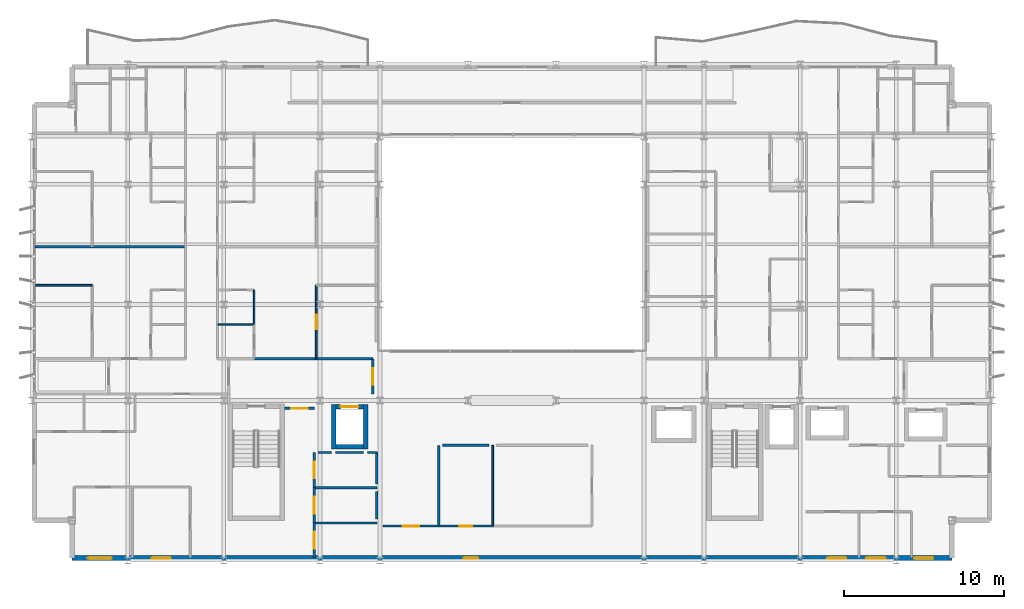
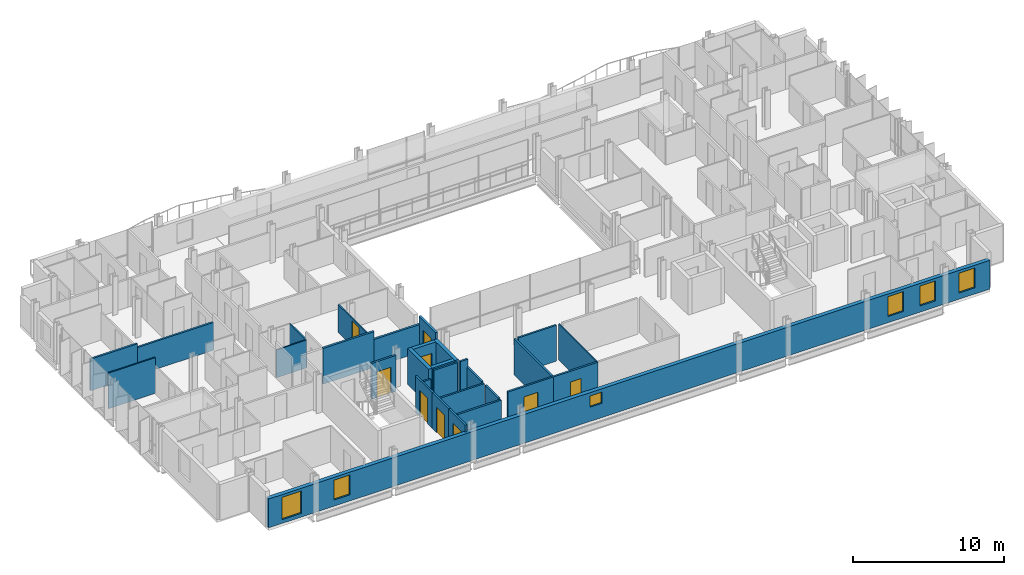
# One storey, part 28 of 39: 30 walls, 9 doors, 6 windows, 15 openings.
"""IFC4 building model written with IfcOpenShell, lengths in metres."""

from ifc_helpers import new_model, si_unit, direction, frame, frame_2d, origin, place, context, subcontext, project, spatial, rectangle, extrude, material, layer, layer_set, type_object, element, fill, save


model = new_model("IFC4")

# Units and contexts
model_context = context("Model", 3, precision=1e-05, world=origin(), true_north=direction((0.0, 1.0)))
body_context = subcontext(model_context, "Body", "Model", "MODEL_VIEW")
ifc_project = project(units=[si_unit("LENGTHUNIT", "METRE"), si_unit("AREAUNIT", "SQUARE_METRE"), si_unit("VOLUMEUNIT", "CUBIC_METRE"), si_unit("PLANEANGLEUNIT", "RADIAN"), si_unit("MASSUNIT", "GRAM", prefix="KILO")], contexts=[model_context])

# Site, building, storey
site_placement = place(None, origin())
site = spatial("IfcSite", under=ifc_project, at=site_placement, CompositionType="ELEMENT")
building_placement = place(site_placement, origin())
building = spatial("IfcBuilding", under=site, at=building_placement, Name="Brevholm Reach", CompositionType="ELEMENT")
storey_placement = place(building_placement, frame((0.0, 0.0, 109.699951171875)))
storey = spatial("IfcBuildingStorey", under=building, at=storey_placement, Name="L32", CompositionType="ELEMENT", Elevation=109.699951171875)

# Walls
ifc_material_1 = material(Name="Concrete C50/60", Category="concrete")
ifc_layer_1 = layer(ifc_material_1, 0.280029296875)
ifc_layer_set_1 = layer_set([ifc_layer_1], Name="Concrete C50/60")
wall_type_1 = type_object("IfcWallType", Name="WAL-COR-280", PredefinedType="SHEAR", material=ifc_layer_set_1)
for number, where, z_axis, x_axis, name in (
    (1, (18.85009765625, 6.9599609375, 0.0), (0.0, 0.0, 1.0), (0.0, 1.0, 0.0), "L32 Lift FFL-1 Shaft Wall W"),
    (2, (20.85009765625, 6.9599609375, 0.0), (0.0, 0.0, 1.0), (0.0, 1.0, 0.0), "L32 Lift FFL-1 Shaft Wall E"),
):
    element("IfcWall", number, at=place(storey_placement, frame(where, z_axis=z_axis, x_axis=x_axis)), inside=storey, type_object=wall_type_1, Name=name, PredefinedType="SHEAR", context=body_context, shape_type="SweptSolid", body=[
        extrude(rectangle(XDim=2.780029296875, YDim=0.280029296875, at=frame_2d((1.39013671875, 0.0))), origin(), (0.0, 0.0, 1.0), 2.880126953125),
    ])
wall_1_placement = place(storey_placement, frame((18.989990234375, 7.10009765625, 0.0), z_axis=(0.0, 0.0, 1.0), x_axis=(1.0, 0.0, 0.0)))
element("IfcWall", 3, at=wall_1_placement, inside=storey, type_object=wall_type_1, Name="L32 Lift FFL-1 Shaft Wall S", PredefinedType="SHEAR", context=body_context, shape_type="SweptSolid", body=[
    extrude(rectangle(XDim=1.719970703125, YDim=0.280029296875, at=frame_2d((0.85986328125, 0.0))), origin(), (0.0, 0.0, 1.0), 2.880126953125),
])

# Wall, opening, door
wall_2_placement = place(storey_placement, frame((18.989990234375, 9.60009765625, 0.0), z_axis=(0.0, 0.0, 1.0), x_axis=(1.0, 0.0, 0.0)))
wall_2 = element("IfcWall", 4, at=wall_2_placement, inside=storey, type_object=wall_type_1, Name="L32 Lift FFL-1 Shaft Wall N", PredefinedType="SHEAR", context=body_context, shape_type="SweptSolid", body=[
    extrude(rectangle(XDim=1.719970703125, YDim=0.280029296875, at=frame_2d((0.85986328125, 0.0))), origin(), (0.0, 0.0, 1.0), 2.880126953125),
])
opening_1_placement = place(wall_2_placement, frame((0.31005859375, 0.0, 0.0)))
opening_1 = element("IfcOpeningElement", 5, at=opening_1_placement, cuts=wall_2, Name="Opening LD-FFL-1", PredefinedType="OPENING", context=body_context, shape_type="SweptSolid", body=[
    extrude(rectangle(XDim=1.10009765625, YDim=2.06005859375, at=frame_2d((0.550048828125, 1.030029296875))), frame((0.0, 0.14990234375, 0.0), z_axis=(0.0, -1.0, 0.0), x_axis=(1.0, 0.0, 0.0)), (0.0, 0.0, 1.0), 0.300048828125),
])
ifc_material_2 = material(Name="Brushed Stainless Steel Fire-Rated Sliding Lift Door", Category="steel")
door_type_1 = type_object("IfcDoorType", Name="DOR-LFT-1100", OperationType="NOTDEFINED", PredefinedType="DOOR", material=ifc_material_2)
door_1_placement = place(opening_1_placement, origin())
door_1 = element("IfcDoor", 6, at=door_1_placement, inside=storey, type_object=door_type_1, Name="L32 Lift FFL-1 Sliding Landing Door", OperationType="SLIDING_TO_RIGHT", OverallHeight=2.06005859375, OverallWidth=1.10009765625, PredefinedType="DOOR", context=body_context, shape_type="SweptSolid", body=[
    extrude(rectangle(XDim=1.10009765625, YDim=2.06005859375, at=frame_2d((0.550048828125, 1.030029296875))), frame((0.0, 0.02490234375, 0.0), z_axis=(0.0, -1.0, 0.0), x_axis=(1.0, 0.0, 0.0)), (0.0, 0.0, 1.0), 0.050048828125),
])
fill(opening_1, door_1)

# Wall, openings, windows
ifc_material_3 = material(Name="Concrete C40/50", Category="concrete")
ifc_layer_2 = layer(ifc_material_3, 0.300048828125)
ifc_layer_set_2 = layer_set([ifc_layer_2], Name="Concrete C40/50")
wall_type_2 = type_object("IfcWallType", Name="WAL-EXT-300", PredefinedType="STANDARD", material=ifc_layer_set_2)
wall_3_placement = place(storey_placement, frame((2.5, 0.14990234375, 0.0), z_axis=(0.0, 0.0, 1.0), x_axis=(1.0, 0.0, 0.0)))
wall_3 = element("IfcWall", 7, at=wall_3_placement, inside=storey, type_object=wall_type_2, Name="L32 Facade Wall WAL-L32-S", PredefinedType="STANDARD", context=body_context, shape_type="SweptSolid", body=[
    extrude(rectangle(XDim=55.0, YDim=0.300048828125, at=frame_2d((27.5, 0.0))), origin(), (0.0, 0.0, 1.0), 2.322021484375),
])
opening_2_placement = place(wall_3_placement, frame((1.0, 0.0, 0.302001953125)))
opening_2 = element("IfcOpeningElement", 8, at=opening_2_placement, cuts=wall_3, Name="Opening WN-05", PredefinedType="OPENING", context=body_context, shape_type="SweptSolid", body=[
    extrude(rectangle(XDim=1.5, YDim=1.800048828125, at=frame_2d((0.75, 0.89990234375))), frame((0.0, 0.159912109375, 0.0), z_axis=(0.0, -1.0, 0.0), x_axis=(1.0, 0.0, 0.0)), (0.0, 0.0, 1.0), 0.320068359375),
])
opening_3_placement = place(wall_3_placement, frame((24.5, 0.0, 1.14990234375)))
opening_3 = element("IfcOpeningElement", 9, at=opening_3_placement, cuts=wall_3, Name="Opening WN-09", PredefinedType="OPENING", context=body_context, shape_type="SweptSolid", body=[
    extrude(rectangle(XDim=0.89990234375, YDim=0.89990234375, at=frame_2d((0.449951171875, 0.449951171875))), frame((0.0, 0.159912109375, 0.0), z_axis=(0.0, -1.0, 0.0), x_axis=(1.0, 0.0, 0.0)), (0.0, 0.0, 1.0), 0.320068359375),
])
opening_4_placement = place(wall_3_placement, frame((47.199951171875, 0.0, 0.501953125)))
opening_4 = element("IfcOpeningElement", 10, at=opening_4_placement, cuts=wall_3, Name="Opening WN-08", PredefinedType="OPENING", context=body_context, shape_type="SweptSolid", body=[
    extrude(rectangle(XDim=1.199951171875, YDim=1.60009765625, at=frame_2d((0.60009765625, 0.800048828125))), frame((0.0, 0.159912109375, 0.0), z_axis=(0.0, -1.0, 0.0), x_axis=(1.0, 0.0, 0.0)), (0.0, 0.0, 1.0), 0.320068359375),
])
opening_5_placement = place(wall_3_placement, frame((52.6298828125, 0.0, 0.501953125)))
opening_5 = element("IfcOpeningElement", 11, at=opening_5_placement, cuts=wall_3, Name="Opening WN-08", PredefinedType="OPENING", context=body_context, shape_type="SweptSolid", body=[
    extrude(rectangle(XDim=1.199951171875, YDim=1.60009765625, at=frame_2d((0.60009765625, 0.800048828125))), frame((0.0, 0.159912109375, 0.0), z_axis=(0.0, -1.0, 0.0), x_axis=(1.0, 0.0, 0.0)), (0.0, 0.0, 1.0), 0.320068359375),
])
opening_6_placement = place(wall_3_placement, frame((4.987548828125, 0.0, 0.501953125)))
opening_6 = element("IfcOpeningElement", 12, at=opening_6_placement, cuts=wall_3, Name="Opening WN-08", PredefinedType="OPENING", context=body_context, shape_type="SweptSolid", body=[
    extrude(rectangle(XDim=1.199951171875, YDim=1.60009765625, at=frame_2d((0.60009765625, 0.800048828125))), frame((0.0, 0.159912109375, 0.0), z_axis=(0.0, -1.0, 0.0), x_axis=(1.0, 0.0, 0.0)), (0.0, 0.0, 1.0), 0.320068359375),
])
opening_7_placement = place(wall_3_placement, frame((49.643310546875, 0.0, 0.501953125)))
opening_7 = element("IfcOpeningElement", 13, at=opening_7_placement, cuts=wall_3, Name="Opening WN-08", PredefinedType="OPENING", context=body_context, shape_type="SweptSolid", body=[
    extrude(rectangle(XDim=1.199951171875, YDim=1.60009765625, at=frame_2d((0.60009765625, 0.800048828125))), frame((0.0, 0.159912109375, 0.0), z_axis=(0.0, -1.0, 0.0), x_axis=(1.0, 0.0, 0.0)), (0.0, 0.0, 1.0), 0.320068359375),
])
ifc_material_4 = material(Name="Dark Anodised Aluminium and Solar-Control IGU Glass", Category="aluminium")
window_type_1 = type_object("IfcWindowType", Name="WIN-POR-0900", PartitioningType="SINGLE_PANEL", PredefinedType="WINDOW", material=ifc_material_4)
window_1_placement = place(opening_3_placement, origin())
window_1 = element("IfcWindow", 14, at=window_1_placement, inside=storey, type_object=window_type_1, Name="L32 Window WIN-L32-S-POR", OverallHeight=0.89990234375, OverallWidth=0.89990234375, PartitioningType="SINGLE_PANEL", PredefinedType="WINDOW", context=body_context, shape_type="SweptSolid", body=[
    extrude(rectangle(XDim=0.89990234375, YDim=0.89990234375, at=frame_2d((0.449951171875, 0.449951171875))), frame((0.0, 0.030029296875, 0.0), z_axis=(0.0, -1.0, 0.0), x_axis=(1.0, 0.0, 0.0)), (0.0, 0.0, 1.0), 0.06005859375),
])
fill(opening_3, window_1)
ifc_material_5 = material(Name="Dark Anodised Aluminium and Solar-Control IGU Glass", Category="aluminium")
window_type_2 = type_object("IfcWindowType", Name="WIN-RES-1200", PartitioningType="SINGLE_PANEL", PredefinedType="WINDOW", material=ifc_material_5)
window_2_placement = place(opening_4_placement, origin())
window_2 = element("IfcWindow", 15, at=window_2_placement, inside=storey, type_object=window_type_2, Name="L32 Window WIN-L32-S-E1", OverallHeight=1.60009765625, OverallWidth=1.199951171875, PartitioningType="SINGLE_PANEL", PredefinedType="WINDOW", context=body_context, shape_type="SweptSolid", body=[
    extrude(rectangle(XDim=1.199951171875, YDim=1.60009765625, at=frame_2d((0.60009765625, 0.800048828125))), frame((0.0, 0.030029296875, 0.0), z_axis=(0.0, -1.0, 0.0), x_axis=(1.0, 0.0, 0.0)), (0.0, 0.0, 1.0), 0.06005859375),
])
fill(opening_4, window_2)
window_3_placement = place(opening_5_placement, origin())
window_3 = element("IfcWindow", 16, at=window_3_placement, inside=storey, type_object=window_type_2, Name="L32 Window WIN-L32-S-E2", OverallHeight=1.60009765625, OverallWidth=1.199951171875, PartitioningType="SINGLE_PANEL", PredefinedType="WINDOW", context=body_context, shape_type="SweptSolid", body=[
    extrude(rectangle(XDim=1.199951171875, YDim=1.60009765625, at=frame_2d((0.60009765625, 0.800048828125))), frame((0.0, 0.030029296875, 0.0), z_axis=(0.0, -1.0, 0.0), x_axis=(1.0, 0.0, 0.0)), (0.0, 0.0, 1.0), 0.06005859375),
])
fill(opening_5, window_3)
window_4_placement = place(opening_6_placement, origin())
window_4 = element("IfcWindow", 17, at=window_4_placement, inside=storey, type_object=window_type_2, Name="L32 Bedroom Window 035", OverallHeight=1.60009765625, OverallWidth=1.199951171875, PartitioningType="SINGLE_PANEL", PredefinedType="WINDOW", context=body_context, shape_type="SweptSolid", body=[
    extrude(rectangle(XDim=1.199951171875, YDim=1.60009765625, at=frame_2d((0.60009765625, 0.800048828125))), frame((0.0, 0.030029296875, 0.0), z_axis=(0.0, -1.0, 0.0), x_axis=(1.0, 0.0, 0.0)), (0.0, 0.0, 1.0), 0.06005859375),
])
fill(opening_6, window_4)
window_5_placement = place(opening_7_placement, origin())
window_5 = element("IfcWindow", 18, at=window_5_placement, inside=storey, type_object=window_type_2, Name="L32 Bedroom Window 036", OverallHeight=1.60009765625, OverallWidth=1.199951171875, PartitioningType="SINGLE_PANEL", PredefinedType="WINDOW", context=body_context, shape_type="SweptSolid", body=[
    extrude(rectangle(XDim=1.199951171875, YDim=1.60009765625, at=frame_2d((0.60009765625, 0.800048828125))), frame((0.0, 0.030029296875, 0.0), z_axis=(0.0, -1.0, 0.0), x_axis=(1.0, 0.0, 0.0)), (0.0, 0.0, 1.0), 0.06005859375),
])
fill(opening_7, window_5)
ifc_material_6 = material(Name="Dark Anodised Aluminium and Solar-Control IGU Glass", Category="aluminium")
window_type_3 = type_object("IfcWindowType", Name="WIN-RES-1500", PartitioningType="SINGLE_PANEL", PredefinedType="WINDOW", material=ifc_material_6)
window_6_placement = place(opening_2_placement, origin())
window_6 = element("IfcWindow", 19, at=window_6_placement, inside=storey, type_object=window_type_3, Name="L32 Window WIN-L32-S-W1", OverallHeight=1.800048828125, OverallWidth=1.5, PartitioningType="SINGLE_PANEL", PredefinedType="WINDOW", context=body_context, shape_type="SweptSolid", body=[
    extrude(rectangle(XDim=1.5, YDim=1.800048828125, at=frame_2d((0.75, 0.89990234375))), frame((0.0, 0.030029296875, 0.0), z_axis=(0.0, -1.0, 0.0), x_axis=(1.0, 0.0, 0.0)), (0.0, 0.0, 1.0), 0.06005859375),
])
fill(opening_2, window_6)

# Walls
ifc_material_7 = material(Name="Moisture-Resistant Acoustic Gypsum Stud Partition 100 mm", Category="gypsum")
ifc_layer_3 = layer(ifc_material_7, 0.10009765625)
ifc_layer_set_3 = layer_set([ifc_layer_3], Name="Moisture-Resistant Acoustic Gypsum Stud Partition 100 mm")
wall_type_3 = type_object("IfcWallType", Name="WAL-PRT-100", PredefinedType="PARTITIONING", material=ifc_layer_set_3)
wall_4_placement = place(storey_placement, frame((28.800048828125, 2.154052734375, 0.0), z_axis=(0.0, 0.0, 1.0), x_axis=(0.0, 1.0, 0.0)))
element("IfcWall", 20, at=wall_4_placement, inside=storey, type_object=wall_type_3, Name="L32 Internal Partition 006", PredefinedType="PARTITIONING", context=body_context, shape_type="SweptSolid", body=[
    extrude(rectangle(XDim=5.0458984375, YDim=0.10009765625, at=frame_2d((2.52294921875, 0.0))), origin(), (0.0, 0.0, 1.0), 2.880126953125),
])
wall_5_placement = place(storey_placement, frame((0.199951171875, 17.199951171875, 0.0), z_axis=(0.0, 0.0, 1.0), x_axis=(1.0, 0.0, 0.0)))
element("IfcWall", 21, at=wall_5_placement, inside=storey, type_object=wall_type_3, Name="L32 Internal Partition 097", PredefinedType="PARTITIONING", context=body_context, shape_type="SweptSolid", body=[
    extrude(rectangle(XDim=3.572021484375, YDim=0.10009765625, at=frame_2d((1.7861328125, 0.0))), origin(), (0.0, 0.0, 1.0), 2.880126953125),
])
wall_6_placement = place(storey_placement, frame((11.60400390625, 14.75, 0.0), z_axis=(0.0, 0.0, 1.0), x_axis=(1.0, 0.0, 0.0)))
element("IfcWall", 22, at=wall_6_placement, inside=storey, type_object=wall_type_3, Name="L32 Internal Partition 111", PredefinedType="PARTITIONING", context=body_context, shape_type="SweptSolid", body=[
    extrude(rectangle(XDim=2.284912109375, YDim=0.10009765625, at=frame_2d((1.142578125, 0.0))), origin(), (0.0, 0.0, 1.0), 2.242919921875),
])
wall_7_placement = place(storey_placement, frame((13.888916015625, 14.75390625, 0.0), z_axis=(0.0, 0.0, 1.0), x_axis=(0.0, 1.0, 0.0)))
element("IfcWall", 23, at=wall_7_placement, inside=storey, type_object=wall_type_3, Name="L32 Internal Partition 113", PredefinedType="PARTITIONING", context=body_context, shape_type="SweptSolid", body=[
    extrude(rectangle(XDim=2.14599609375, YDim=0.10009765625, at=frame_2d((1.072998046875, 0.0))), origin(), (0.0, 0.0, 1.0), 2.242919921875),
])

# Wall, opening, door
wall_8_placement = place(storey_placement, frame((17.76904296875, 12.60400390625, 0.0), z_axis=(0.0, 0.0, 1.0), x_axis=(0.0, 1.0, 0.0)))
wall_8 = element("IfcWall", 24, at=wall_8_placement, inside=storey, type_object=wall_type_3, Name="L32 Internal Partition 116", PredefinedType="PARTITIONING", context=body_context, shape_type="SweptSolid", body=[
    extrude(rectangle(XDim=4.595947265625, YDim=0.10009765625, at=frame_2d((2.2978515625, 0.0))), origin(), (0.0, 0.0, 1.0), 2.242919921875),
])
opening_8_placement = place(wall_8_placement, frame((1.85791015625, 0.0, 0.0)))
opening_8 = element("IfcOpeningElement", 25, at=opening_8_placement, cuts=wall_8, Name="Opening ID-01", PredefinedType="OPENING", context=body_context, shape_type="SweptSolid", body=[
    extrude(rectangle(XDim=0.8798828125, YDim=2.0400390625, at=frame_2d((0.43994140625, 1.02001953125))), frame((0.0, 0.06005859375, 0.0), z_axis=(0.0, -1.0, 0.0), x_axis=(1.0, 0.0, 0.0)), (0.0, 0.0, 1.0), 0.1201171875),
])
ifc_material_8 = material(Name="Lacquered Ash Solid-Core Acoustic Internal Door", Category="timber")
door_type_2 = type_object("IfcDoorType", Name="DOR-INT-880", OperationType="NOTDEFINED", PredefinedType="DOOR", material=ifc_material_8)
door_2_placement = place(opening_8_placement, origin())
door_2 = element("IfcDoor", 26, at=door_2_placement, inside=storey, type_object=door_type_2, Name="L32 Internal Door 042", OperationType="SINGLE_SWING_RIGHT", OverallHeight=2.0400390625, OverallWidth=0.8798828125, PredefinedType="DOOR", context=body_context, shape_type="SweptSolid", body=[
    extrude(rectangle(XDim=0.8798828125, YDim=2.0400390625, at=frame_2d((0.43994140625, 1.02001953125))), frame((0.0, 0.02490234375, 0.0), z_axis=(0.0, -1.0, 0.0), x_axis=(1.0, 0.0, 0.0)), (0.0, 0.0, 1.0), 0.050048828125),
])
fill(opening_8, door_2)

ifc_material_9 = material(Name="Twin-Stud Acoustic Fire-Rated Gypsum Partition 140 mm", Category="gypsum")
ifc_layer_4 = layer(ifc_material_9, 0.139892578125)
ifc_layer_set_4 = layer_set([ifc_layer_4], Name="Twin-Stud Acoustic Fire-Rated Gypsum Partition 140 mm")
wall_type_4 = type_object("IfcWallType", Name="WAL-PRT-140", PredefinedType="PARTITIONING", material=ifc_layer_set_4)
wall_9_placement = place(storey_placement, frame((21.949951171875, 2.14990234375, 0.0), z_axis=(0.0, 0.0, 1.0), x_axis=(1.0, 0.0, 0.0)))
wall_9 = element("IfcWall", 27, at=wall_9_placement, inside=storey, type_object=wall_type_4, Name="L32 Internal Partition 002", PredefinedType="PARTITIONING", context=body_context, shape_type="SweptSolid", body=[
    extrude(rectangle(XDim=3.4814453125, YDim=0.139892578125, at=frame_2d((1.74072265625, 0.0))), origin(), (0.0, 0.0, 1.0), 2.880126953125),
])
opening_9_placement = place(wall_9_placement, frame((1.2158203125, 0.0, 0.0)))
opening_9 = element("IfcOpeningElement", 28, at=opening_9_placement, cuts=wall_9, Name="Opening FD-01", PredefinedType="OPENING", context=body_context, shape_type="SweptSolid", body=[
    extrude(rectangle(XDim=1.050048828125, YDim=2.06005859375, at=frame_2d((0.52490234375, 1.030029296875))), frame((0.0, 0.079833984375, 0.0), z_axis=(0.0, -1.0, 0.0), x_axis=(1.0, 0.0, 0.0)), (0.0, 0.0, 1.0), 0.159912109375),
])
ifc_material_10 = material(Name="Hardwood-Lipped Steel-Core Fire and Smoke Door", Category="steel")
door_type_3 = type_object("IfcDoorType", Name="DOR-INT-FD60S", OperationType="NOTDEFINED", PredefinedType="DOOR", material=ifc_material_10)
door_3_placement = place(opening_9_placement, origin())
door_3 = element("IfcDoor", 29, at=door_3_placement, inside=storey, type_object=door_type_3, Name="L32 Internal Door 002", OperationType="SINGLE_SWING_RIGHT", OverallHeight=2.06005859375, OverallWidth=1.050048828125, PredefinedType="DOOR", context=body_context, shape_type="SweptSolid", body=[
    extrude(rectangle(XDim=1.050048828125, YDim=2.06005859375, at=frame_2d((0.52490234375, 1.030029296875))), frame((0.0, 0.02490234375, 0.0), z_axis=(0.0, -1.0, 0.0), x_axis=(1.0, 0.0, 0.0)), (0.0, 0.0, 1.0), 0.050048828125),
])
fill(opening_9, door_3)

wall_10_placement = place(storey_placement, frame((25.41259765625, 2.14990234375, 0.0), z_axis=(0.0, 0.0, 1.0), x_axis=(1.0, 0.0, 0.0)))
wall_10 = element("IfcWall", 30, at=wall_10_placement, inside=storey, type_object=wall_type_4, Name="L32 Internal Partition 003", PredefinedType="PARTITIONING", context=body_context, shape_type="SweptSolid", body=[
    extrude(rectangle(XDim=3.398681640625, YDim=0.139892578125, at=frame_2d((1.69921875, 0.0))), origin(), (0.0, 0.0, 1.0), 2.880126953125),
])
opening_10_placement = place(wall_10_placement, frame((1.289306640625, 0.0, 0.0)))
opening_10 = element("IfcOpeningElement", 31, at=opening_10_placement, cuts=wall_10, Name="Opening ID-02", PredefinedType="OPENING", context=body_context, shape_type="SweptSolid", body=[
    extrude(rectangle(XDim=0.820068359375, YDim=2.02001953125, at=frame_2d((0.41015625, 1.010009765625))), frame((0.0, 0.079833984375, 0.0), z_axis=(0.0, -1.0, 0.0), x_axis=(1.0, 0.0, 0.0)), (0.0, 0.0, 1.0), 0.159912109375),
])
ifc_material_11 = material(Name="Moisture-Resistant Painted Timber Fire-Rated Riser and Service Door", Category="wood")
door_type_4 = type_object("IfcDoorType", Name="DOR-SRV-820", OperationType="NOTDEFINED", PredefinedType="DOOR", material=ifc_material_11)
door_4_placement = place(opening_10_placement, origin())
door_4 = element("IfcDoor", 32, at=door_4_placement, inside=storey, type_object=door_type_4, Name="L32 Internal Door 003", OperationType="SINGLE_SWING_LEFT", OverallHeight=2.02001953125, OverallWidth=0.820068359375, PredefinedType="DOOR", context=body_context, shape_type="SweptSolid", body=[
    extrude(rectangle(XDim=0.820068359375, YDim=2.02001953125, at=frame_2d((0.41015625, 1.010009765625))), frame((0.0, 0.02490234375, 0.0), z_axis=(0.0, -1.0, 0.0), x_axis=(1.0, 0.0, 0.0)), (0.0, 0.0, 1.0), 0.050048828125),
])
fill(opening_10, door_4)

# Wall
wall_11_placement = place(storey_placement, frame((25.419921875, 2.154052734375, 0.0), z_axis=(0.0, 0.0, 1.0), x_axis=(0.0, 1.0, 0.0)))
element("IfcWall", 33, at=wall_11_placement, inside=storey, type_object=wall_type_4, Name="L32 Internal Partition 005", PredefinedType="PARTITIONING", context=body_context, shape_type="SweptSolid", body=[
    extrude(rectangle(XDim=5.0458984375, YDim=0.139892578125, at=frame_2d((2.52294921875, 0.0))), origin(), (0.0, 0.0, 1.0), 2.880126953125),
])

# Wall, opening, door
wall_12_placement = place(storey_placement, frame((17.64990234375, 0.179931640625, 0.0), z_axis=(0.0, 0.0, 1.0), x_axis=(0.0, 1.0, 0.0)))
wall_12 = element("IfcWall", 34, at=wall_12_placement, inside=storey, type_object=wall_type_4, Name="L32 Internal Partition 007", PredefinedType="PARTITIONING", context=body_context, shape_type="SweptSolid", body=[
    extrude(rectangle(XDim=2.181396484375, YDim=0.139892578125, at=frame_2d((1.0908203125, 0.0))), origin(), (0.0, 0.0, 1.0), 2.880126953125),
])
opening_11_placement = place(wall_12_placement, frame((0.565673828125, 0.0, 0.0)))
opening_11 = element("IfcOpeningElement", 35, at=opening_11_placement, cuts=wall_12, Name="Opening FD-01", PredefinedType="OPENING", context=body_context, shape_type="SweptSolid", body=[
    extrude(rectangle(XDim=1.050048828125, YDim=2.06005859375, at=frame_2d((0.52490234375, 1.030029296875))), frame((0.0, 0.079833984375, 0.0), z_axis=(0.0, -1.0, 0.0), x_axis=(1.0, 0.0, 0.0)), (0.0, 0.0, 1.0), 0.159912109375),
])
door_5_placement = place(opening_11_placement, origin())
door_5 = element("IfcDoor", 36, at=door_5_placement, inside=storey, type_object=door_type_3, Name="L32 Internal Door 004", OperationType="SINGLE_SWING_RIGHT", OverallHeight=2.06005859375, OverallWidth=1.050048828125, PredefinedType="DOOR", context=body_context, shape_type="SweptSolid", body=[
    extrude(rectangle(XDim=1.050048828125, YDim=2.06005859375, at=frame_2d((0.52490234375, 1.030029296875))), frame((0.0, 0.02490234375, 0.0), z_axis=(0.0, -1.0, 0.0), x_axis=(1.0, 0.0, 0.0)), (0.0, 0.0, 1.0), 0.050048828125),
])
fill(opening_11, door_5)

wall_13_placement = place(storey_placement, frame((17.64990234375, 2.3427734375, 0.0), z_axis=(0.0, 0.0, 1.0), x_axis=(0.0, 1.0, 0.0)))
wall_13 = element("IfcWall", 37, at=wall_13_placement, inside=storey, type_object=wall_type_4, Name="L32 Internal Partition 008", PredefinedType="PARTITIONING", context=body_context, shape_type="SweptSolid", body=[
    extrude(rectangle(XDim=2.218505859375, YDim=0.139892578125, at=frame_2d((1.109375, 0.0))), origin(), (0.0, 0.0, 1.0), 2.880126953125),
])
opening_12_placement = place(wall_13_placement, frame((0.584228515625, 0.0, 0.0)))
opening_12 = element("IfcOpeningElement", 38, at=opening_12_placement, cuts=wall_13, Name="Opening FD-01", PredefinedType="OPENING", context=body_context, shape_type="SweptSolid", body=[
    extrude(rectangle(XDim=1.050048828125, YDim=2.06005859375, at=frame_2d((0.52490234375, 1.030029296875))), frame((0.0, 0.079833984375, 0.0), z_axis=(0.0, -1.0, 0.0), x_axis=(1.0, 0.0, 0.0)), (0.0, 0.0, 1.0), 0.159912109375),
])
door_6_placement = place(opening_12_placement, origin())
door_6 = element("IfcDoor", 39, at=door_6_placement, inside=storey, type_object=door_type_3, Name="L32 Internal Door 005", OperationType="SINGLE_SWING_LEFT", OverallHeight=2.06005859375, OverallWidth=1.050048828125, PredefinedType="DOOR", context=body_context, shape_type="SweptSolid", body=[
    extrude(rectangle(XDim=1.050048828125, YDim=2.06005859375, at=frame_2d((0.52490234375, 1.030029296875))), frame((0.0, 0.02490234375, 0.0), z_axis=(0.0, -1.0, 0.0), x_axis=(1.0, 0.0, 0.0)), (0.0, 0.0, 1.0), 0.050048828125),
])
fill(opening_12, door_6)

wall_14_placement = place(storey_placement, frame((17.64990234375, 4.542724609375, 0.0), z_axis=(0.0, 0.0, 1.0), x_axis=(0.0, 1.0, 0.0)))
wall_14 = element("IfcWall", 40, at=wall_14_placement, inside=storey, type_object=wall_type_4, Name="L32 Internal Partition 009", PredefinedType="PARTITIONING", context=body_context, shape_type="SweptSolid", body=[
    extrude(rectangle(XDim=2.218505859375, YDim=0.139892578125, at=frame_2d((1.109375, 0.0))), origin(), (0.0, 0.0, 1.0), 2.880126953125),
])
opening_13_placement = place(wall_14_placement, frame((0.584228515625, 0.0, 0.0)))
opening_13 = element("IfcOpeningElement", 41, at=opening_13_placement, cuts=wall_14, Name="Opening FD-01", PredefinedType="OPENING", context=body_context, shape_type="SweptSolid", body=[
    extrude(rectangle(XDim=1.050048828125, YDim=2.06005859375, at=frame_2d((0.52490234375, 1.030029296875))), frame((0.0, 0.079833984375, 0.0), z_axis=(0.0, -1.0, 0.0), x_axis=(1.0, 0.0, 0.0)), (0.0, 0.0, 1.0), 0.159912109375),
])
door_7_placement = place(opening_13_placement, origin())
door_7 = element("IfcDoor", 42, at=door_7_placement, inside=storey, type_object=door_type_3, Name="L32 Internal Door 006", OperationType="SINGLE_SWING_RIGHT", OverallHeight=2.06005859375, OverallWidth=1.050048828125, PredefinedType="DOOR", context=body_context, shape_type="SweptSolid", body=[
    extrude(rectangle(XDim=1.050048828125, YDim=2.06005859375, at=frame_2d((0.52490234375, 1.030029296875))), frame((0.0, 0.02490234375, 0.0), z_axis=(0.0, -1.0, 0.0), x_axis=(1.0, 0.0, 0.0)), (0.0, 0.0, 1.0), 0.050048828125),
])
fill(opening_13, door_7)

# Walls
for number, where, z_axis, x_axis, name in (
    (43, (17.654052734375, 2.35009765625, 0.0), (0.0, 0.0, 1.0), (1.0, 0.0, 0.0), "L32 Internal Partition 011"),
    (44, (17.654052734375, 4.550048828125, 0.0), (0.0, 0.0, 1.0), (1.0, 0.0, 0.0), "L32 Internal Partition 012"),
):
    element("IfcWall", number, at=place(storey_placement, frame(where, z_axis=z_axis, x_axis=x_axis)), inside=storey, type_object=wall_type_4, Name=name, PredefinedType="PARTITIONING", context=body_context, shape_type="SweptSolid", body=[
        extrude(rectangle(XDim=3.89599609375, YDim=0.139892578125, at=frame_2d((1.947998046875, 0.0))), origin(), (0.0, 0.0, 1.0), 2.242919921875),
    ])
wall_15_placement = place(storey_placement, frame((0.199951171875, 19.60009765625, 0.0), z_axis=(0.0, 0.0, 1.0), x_axis=(1.0, 0.0, 0.0)))
element("IfcWall", 45, at=wall_15_placement, inside=storey, type_object=wall_type_4, Name="L32 Internal Partition 098", PredefinedType="PARTITIONING", context=body_context, shape_type="SweptSolid", body=[
    extrude(rectangle(XDim=3.583251953125, YDim=0.139892578125, at=frame_2d((1.79150390625, 0.0))), origin(), (0.0, 0.0, 1.0), 2.5517578125),
])
wall_16_placement = place(storey_placement, frame((3.7646484375, 19.60009765625, 0.0), z_axis=(0.0, 0.0, 1.0), x_axis=(1.0, 0.0, 0.0)))
element("IfcWall", 46, at=wall_16_placement, inside=storey, type_object=wall_type_4, Name="L32 Internal Partition 099", PredefinedType="PARTITIONING", context=body_context, shape_type="SweptSolid", body=[
    extrude(rectangle(XDim=5.831298828125, YDim=0.139892578125, at=frame_2d((2.91552734375, 0.0))), origin(), (0.0, 0.0, 1.0), 2.242919921875),
])
wall_17_placement = place(storey_placement, frame((25.659912109375, 7.199951171875, 0.0), z_axis=(0.0, 0.0, 1.0), x_axis=(1.0, 0.0, 0.0)))
element("IfcWall", 47, at=wall_17_placement, inside=storey, type_object=wall_type_4, Name="L32 Internal Partition 168", PredefinedType="PARTITIONING", context=body_context, shape_type="SweptSolid", body=[
    extrude(rectangle(XDim=2.900146484375, YDim=0.139892578125, at=frame_2d((1.4501953125, 0.0))), origin(), (0.0, 0.0, 1.0), 2.880126953125),
])
wall_18_placement = place(storey_placement, frame((21.550048828125, 2.590087890625, 0.0), z_axis=(0.0, 0.0, 1.0), x_axis=(0.0, 1.0, 0.0)))
element("IfcWall", 48, at=wall_18_placement, inside=storey, type_object=wall_type_4, Name="L32 Internal Partition 170", PredefinedType="PARTITIONING", context=body_context, shape_type="SweptSolid", body=[
    extrude(rectangle(XDim=1.719970703125, YDim=0.139892578125, at=frame_2d((0.85986328125, 0.0))), origin(), (0.0, 0.0, 1.0), 2.242919921875),
])
wall_19_placement = place(storey_placement, frame((21.550048828125, 4.7900390625, 0.0), z_axis=(0.0, 0.0, 1.0), x_axis=(0.0, 1.0, 0.0)))
element("IfcWall", 49, at=wall_19_placement, inside=storey, type_object=wall_type_4, Name="L32 Internal Partition 171", PredefinedType="PARTITIONING", context=body_context, shape_type="SweptSolid", body=[
    extrude(rectangle(XDim=1.9599609375, YDim=0.139892578125, at=frame_2d((0.97998046875, 0.0))), origin(), (0.0, 0.0, 1.0), 2.242919921875),
])
wall_20_placement = place(storey_placement, frame((20.9658203125, 6.75, 0.0), z_axis=(0.0, 0.0, 1.0), x_axis=(1.0, 0.0, 0.0)))
element("IfcWall", 50, at=wall_20_placement, inside=storey, type_object=wall_type_4, Name="L32 Internal Partition 172", PredefinedType="PARTITIONING", context=body_context, shape_type="SweptSolid", body=[
    extrude(rectangle(XDim=0.584228515625, YDim=0.139892578125, at=frame_2d((0.2919921875, 0.0))), origin(), (0.0, 0.0, 1.0), 2.880126953125),
])
wall_21_placement = place(storey_placement, frame((18.9658203125, 6.75, 0.0), z_axis=(0.0, 0.0, 1.0), x_axis=(1.0, 0.0, 0.0)))
element("IfcWall", 51, at=wall_21_placement, inside=storey, type_object=wall_type_4, Name="L32 Internal Partition 173", PredefinedType="PARTITIONING", context=body_context, shape_type="SweptSolid", body=[
    extrude(rectangle(XDim=1.768310546875, YDim=0.139892578125, at=frame_2d((0.88427734375, 0.0))), origin(), (0.0, 0.0, 1.0), 2.880126953125),
])
wall_22_placement = place(storey_placement, frame((17.889892578125, 6.75, 0.0), z_axis=(0.0, 0.0, 1.0), x_axis=(1.0, 0.0, 0.0)))
element("IfcWall", 52, at=wall_22_placement, inside=storey, type_object=wall_type_4, Name="L32 Internal Partition 174", PredefinedType="PARTITIONING", context=body_context, shape_type="SweptSolid", body=[
    extrude(rectangle(XDim=0.84423828125, YDim=0.139892578125, at=frame_2d((0.422119140625, 0.0))), origin(), (0.0, 0.0, 1.0), 2.242919921875),
])

# Wall, opening, door
ifc_material_12 = material(Name="Twin-Frame Fire-Rated Gypsum Board and Mineral Wool 160 mm", Category="gypsum")
ifc_layer_5 = layer(ifc_material_12, 0.159912109375)
ifc_layer_set_5 = layer_set([ifc_layer_5], Name="Twin-Frame Fire-Rated Gypsum Board and Mineral Wool 160 mm")
wall_type_5 = type_object("IfcWallType", Name="WAL-PRT-160", PredefinedType="PARTITIONING", material=ifc_layer_set_5)
wall_23_placement = place(storey_placement, frame((15.800048828125, 9.5, 0.0), z_axis=(0.0, 0.0, 1.0), x_axis=(1.0, 0.0, 0.0)))
wall_23 = element("IfcWall", 53, at=wall_23_placement, inside=storey, type_object=wall_type_5, Name="L32 Internal Partition 010", PredefinedType="PARTITIONING", context=body_context, shape_type="SweptSolid", body=[
    extrude(rectangle(XDim=1.849853515625, YDim=0.159912109375, at=frame_2d((0.9248046875, 0.0))), origin(), (0.0, 0.0, 1.0), 2.880126953125),
])
opening_14_placement = place(wall_23_placement, frame((0.39990234375, 0.0, 0.0)))
opening_14 = element("IfcOpeningElement", 54, at=opening_14_placement, cuts=wall_23, Name="Opening FD-01", PredefinedType="OPENING", context=body_context, shape_type="SweptSolid", body=[
    extrude(rectangle(XDim=1.050048828125, YDim=2.06005859375, at=frame_2d((0.52490234375, 1.030029296875))), frame((0.0, 0.08984375, 0.0), z_axis=(0.0, -1.0, 0.0), x_axis=(1.0, 0.0, 0.0)), (0.0, 0.0, 1.0), 0.179931640625),
])
door_8_placement = place(opening_14_placement, origin())
door_8 = element("IfcDoor", 55, at=door_8_placement, inside=storey, type_object=door_type_3, Name="L32 Internal Door 007", OperationType="SINGLE_SWING_LEFT", OverallHeight=2.06005859375, OverallWidth=1.050048828125, PredefinedType="DOOR", context=body_context, shape_type="SweptSolid", body=[
    extrude(rectangle(XDim=1.050048828125, YDim=2.06005859375, at=frame_2d((0.52490234375, 1.030029296875))), frame((0.0, 0.02490234375, 0.0), z_axis=(0.0, -1.0, 0.0), x_axis=(1.0, 0.0, 0.0)), (0.0, 0.0, 1.0), 0.050048828125),
])
fill(opening_14, door_8)

wall_24_placement = place(storey_placement, frame((21.300048828125, 10.388671875, 0.0), z_axis=(0.0, 0.0, 1.0), x_axis=(0.0, 1.0, 0.0)))
wall_24 = element("IfcWall", 56, at=wall_24_placement, inside=storey, type_object=wall_type_5, Name="L32 Internal Partition 019", PredefinedType="PARTITIONING", context=body_context, shape_type="SweptSolid", body=[
    extrude(rectangle(XDim=2.21142578125, YDim=0.159912109375, at=frame_2d((1.105712890625, 0.0))), origin(), (0.0, 0.0, 1.0), 2.880126953125),
])
opening_15_placement = place(wall_24_placement, frame((0.58056640625, 0.0, 0.0)))
opening_15 = element("IfcOpeningElement", 57, at=opening_15_placement, cuts=wall_24, Name="Opening FD-01", PredefinedType="OPENING", context=body_context, shape_type="SweptSolid", body=[
    extrude(rectangle(XDim=1.050048828125, YDim=2.06005859375, at=frame_2d((0.52490234375, 1.030029296875))), frame((0.0, 0.08984375, 0.0), z_axis=(0.0, -1.0, 0.0), x_axis=(1.0, 0.0, 0.0)), (0.0, 0.0, 1.0), 0.179931640625),
])
door_9_placement = place(opening_15_placement, origin())
door_9 = element("IfcDoor", 58, at=door_9_placement, inside=storey, type_object=door_type_3, Name="L32 Internal Door 012", OperationType="SINGLE_SWING_RIGHT", OverallHeight=2.06005859375, OverallWidth=1.050048828125, PredefinedType="DOOR", context=body_context, shape_type="SweptSolid", body=[
    extrude(rectangle(XDim=1.050048828125, YDim=2.06005859375, at=frame_2d((0.52490234375, 1.030029296875))), frame((0.0, 0.02490234375, 0.0), z_axis=(0.0, -1.0, 0.0), x_axis=(1.0, 0.0, 0.0)), (0.0, 0.0, 1.0), 0.050048828125),
])
fill(opening_15, door_9)

# Walls
wall_25_placement = place(storey_placement, frame((17.7578125, 12.60009765625, 0.0), z_axis=(0.0, 0.0, 1.0), x_axis=(1.0, 0.0, 0.0)))
element("IfcWall", 59, at=wall_25_placement, inside=storey, type_object=wall_type_5, Name="L32 Internal Partition 022", PredefinedType="PARTITIONING", context=body_context, shape_type="SweptSolid", body=[
    extrude(rectangle(XDim=3.542236328125, YDim=0.159912109375, at=frame_2d((1.77099609375, 0.0))), origin(), (0.0, 0.0, 1.0), 2.242919921875),
])
wall_26_placement = place(storey_placement, frame((13.881591796875, 12.60009765625, 0.0), z_axis=(0.0, 0.0, 1.0), x_axis=(1.0, 0.0, 0.0)))
element("IfcWall", 60, at=wall_26_placement, inside=storey, type_object=wall_type_5, Name="L32 Internal Partition 023", PredefinedType="PARTITIONING", context=body_context, shape_type="SweptSolid", body=[
    extrude(rectangle(XDim=3.894775390625, YDim=0.159912109375, at=frame_2d((1.947265625, 0.0))), origin(), (0.0, 0.0, 1.0), 2.880126953125),
])

save(model, "model.ifc")
